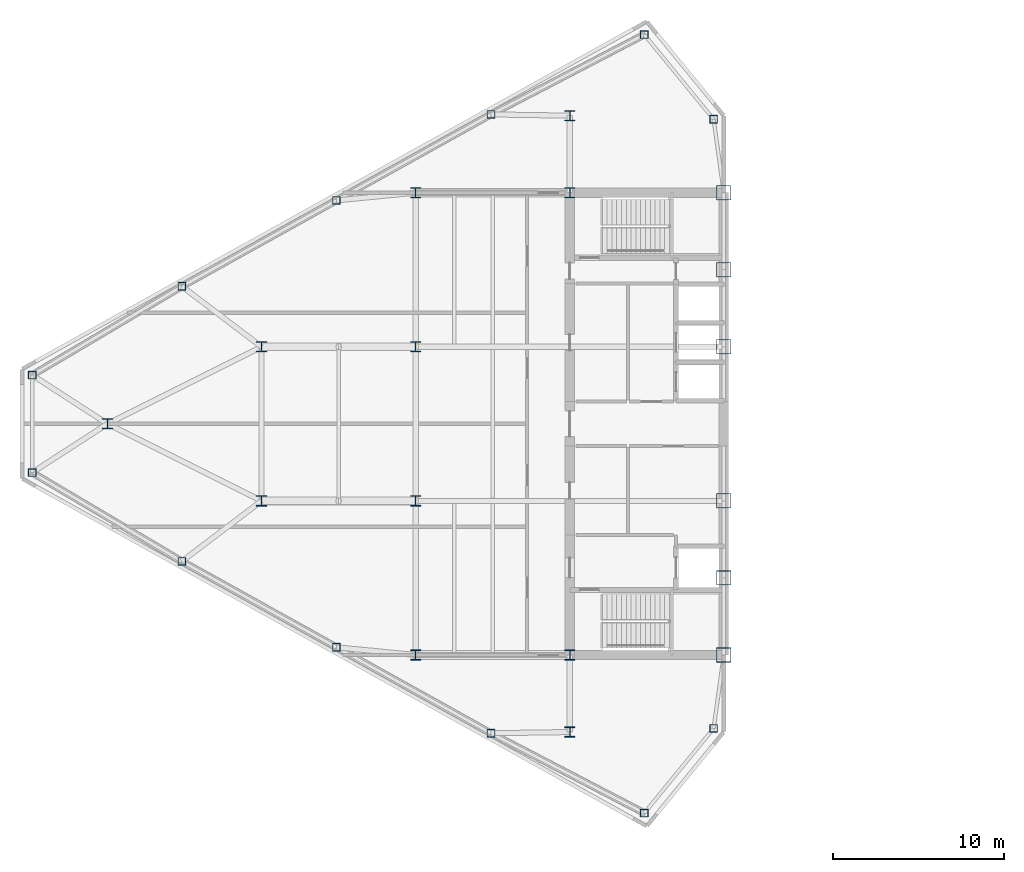
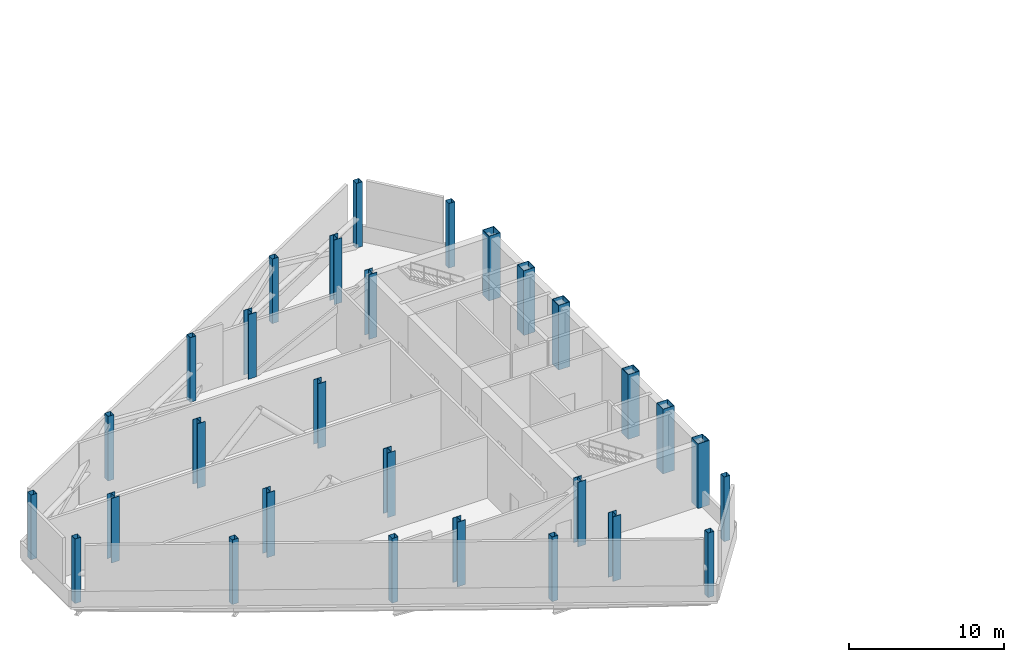
# One storey, part 1 of 11: 29 columns.
"""IFC4 building model written with IfcOpenShell, lengths in metres."""

from ifc_helpers import new_model, si_unit, direction, frame, origin, origin_2d, place, context, subcontext, project, spatial, hollow_rectangle, i_section, extrude, source, transform, mapped, material, material_profile, profile_set, type_object, type_shapes, element, save


model = new_model("IFC4")

# Units and contexts
model_context = context("Model", 3, precision=1e-05, world=origin(), true_north=direction((0.0, 1.0)))
body_context = subcontext(model_context, "Body", "Model", "MODEL_VIEW")
ifc_project = project(units=[si_unit("LENGTHUNIT", "METRE"), si_unit("AREAUNIT", "SQUARE_METRE"), si_unit("VOLUMEUNIT", "CUBIC_METRE"), si_unit("PLANEANGLEUNIT", "RADIAN"), si_unit("MASSUNIT", "GRAM", prefix="KILO")], contexts=[model_context])

# Site, building, storey
site_placement = place(None, origin())
site = spatial("IfcSite", under=ifc_project, at=site_placement, CompositionType="ELEMENT")
building_placement = place(site_placement, origin())
building = spatial("IfcBuilding", under=site, at=building_placement, Name="Seokmaru Belvedere", CompositionType="ELEMENT")
storey_placement = place(building_placement, frame((0.0, 0.0, 162.0)))
storey = spatial("IfcBuildingStorey", under=building, at=storey_placement, Name="L43", CompositionType="ELEMENT", Elevation=162.0)

# Columns
ifc_material_1 = material(Name="Steel HSA650 (650 MPa)", Category="steel")
ifc_material_profile_1 = material_profile(ifc_material_1, hollow_rectangle(XDim=0.85009765625, YDim=0.85009765625, WallThickness=0.035888671875, at=origin_2d()), Name="BOX-850x850x36")
ifc_profile_set_1 = profile_set([ifc_material_profile_1], Name="Steel HSA650 (650 MPa)")
column_type_1 = type_object("IfcColumnType", Name="Portal Spine Column BOX-850", PredefinedType="COLUMN", material=ifc_profile_set_1)
shared_shape_1 = source(origin(), body_context, "Body", "SweptSolid", [
    extrude(hollow_rectangle(XDim=0.85009765625, YDim=0.85009765625, WallThickness=0.035888671875, at=origin_2d()), origin(), (0.0, 0.0, 1.0), 5.10009765625),
])
type_shapes(column_type_1, [shared_shape_1])
for number, where, z_axis, x_axis, name in (
    (1, (-27.5, -13.5, 0.0), (0.0, 0.0, 1.0), (1.0, 0.0, 0.0), "L43 Column WS1"),
    (2, (-27.5, -9.0, 0.0), (0.0, 0.0, 1.0), (1.0, 0.0, 0.0), "L43 Column WS2"),
    (3, (-27.5, -4.5, 0.0), (0.0, 0.0, 1.0), (1.0, 0.0, 0.0), "L43 Column WS3"),
    (4, (-27.5, 4.5, 0.0), (0.0, 0.0, 1.0), (1.0, 0.0, 0.0), "L43 Column WS4"),
    (5, (-27.5, 9.0, 0.0), (0.0, 0.0, 1.0), (1.0, 0.0, 0.0), "L43 Column WS5"),
    (6, (-27.5, 13.5, 0.0), (0.0, 0.0, 1.0), (1.0, 0.0, 0.0), "L43 Column WS6"),
):
    element("IfcColumn", number, at=place(storey_placement, frame(where, z_axis=z_axis, x_axis=x_axis)), inside=storey, type_object=column_type_1, Name=name, PredefinedType="COLUMN", context=body_context, shape_type="MappedRepresentation", body=[
        mapped(shared_shape_1, transform((0.0, 0.0, 0.0), scale=1.0)),
    ])
ifc_material_2 = material(Name="Steel SM355 (355 MPa)", Category="steel")
ifc_material_profile_2 = material_profile(ifc_material_2, i_section(OverallWidth=0.60009765625, OverallDepth=0.60009765625, WebThickness=0.02490234375, FlangeThickness=0.0400390625, at=origin_2d()), Name="H-600x600x25x40")
ifc_profile_set_2 = profile_set([ifc_material_profile_2], Name="Steel SM355 (355 MPa)")
column_type_2 = type_object("IfcColumnType", Name="Upper-Mid Interior Column H-600", PredefinedType="COLUMN", material=ifc_profile_set_2)
shared_shape_2 = source(origin(), body_context, "Body", "SweptSolid", [
    extrude(i_section(OverallWidth=0.60009765625, OverallDepth=0.60009765625, WebThickness=0.02490234375, FlangeThickness=0.0400390625, at=origin_2d()), origin(), (0.0, 0.0, 1.0), 5.10009765625),
])
type_shapes(column_type_2, [shared_shape_2])
for number, where, z_axis, x_axis, name in (
    (7, (-36.5, -18.0, 0.0), (0.0, 0.0, 1.0), (1.0, 0.0, 0.0), "L43 Column WC1"),
    (8, (-36.5, -13.5, 0.0), (0.0, 0.0, 1.0), (1.0, 0.0, 0.0), "L43 Column WC2"),
    (9, (-36.5, 13.5, 0.0), (0.0, 0.0, 1.0), (1.0, 0.0, 0.0), "L43 Column WC3"),
    (10, (-36.5, 18.0, 0.0), (0.0, 0.0, 1.0), (1.0, 0.0, 0.0), "L43 Column WC4"),
    (11, (-45.5, -13.5, 0.0), (0.0, 0.0, 1.0), (1.0, 0.0, 0.0), "L43 Column WG5_1"),
    (12, (-45.5, -4.5, 0.0), (0.0, 0.0, 1.0), (1.0, 0.0, 0.0), "L43 Column WG5_2"),
    (13, (-45.5, 4.5, 0.0), (0.0, 0.0, 1.0), (1.0, 0.0, 0.0), "L43 Column WG5_3"),
    (14, (-45.5, 13.5, 0.0), (0.0, 0.0, 1.0), (1.0, 0.0, 0.0), "L43 Column WG5_4"),
    (15, (-54.5, -4.5, 0.0), (0.0, 0.0, 1.0), (1.0, 0.0, 0.0), "L43 Column WG4P_1"),
    (16, (-54.5, 4.5, 0.0), (0.0, 0.0, 1.0), (1.0, 0.0, 0.0), "L43 Column WG4P_2"),
    (17, (-63.5, 0.0, 0.0), (0.0, 0.0, 1.0), (1.0, 0.0, 0.0), "L43 Column WG3P_1"),
):
    element("IfcColumn", number, at=place(storey_placement, frame(where, z_axis=z_axis, x_axis=x_axis)), inside=storey, type_object=column_type_2, Name=name, PredefinedType="COLUMN", context=body_context, shape_type="MappedRepresentation", body=[
        mapped(shared_shape_2, transform((0.0, 0.0, 0.0), scale=1.0)),
    ])
ifc_material_profile_3 = material_profile(ifc_material_2, hollow_rectangle(XDim=0.449951171875, YDim=0.449951171875, WallThickness=0.01806640625, at=origin_2d()), Name="HSS-450x450x18")
ifc_profile_set_3 = profile_set([ifc_material_profile_3], Name="Steel SM355 (355 MPa)")
column_type_3 = type_object("IfcColumnType", Name="Perimeter Facet Column HSS-450", PredefinedType="COLUMN", material=ifc_profile_set_3)
shared_shape_3 = source(origin(), body_context, "Body", "SweptSolid", [
    extrude(hollow_rectangle(XDim=0.449951171875, YDim=0.449951171875, WallThickness=0.01806640625, at=origin_2d()), origin(), (0.0, 0.0, 1.0), 5.10009765625),
])
type_shapes(column_type_3, [shared_shape_3])
for number, where, z_axis, x_axis, name in (
    (18, (-28.10009765625, -17.785888671875, 0.0), (0.0, 0.0, 1.0), (1.0, 0.0, 0.0), "L43 Column WF1"),
    (19, (-28.10009765625, 17.785888671875, 0.0), (0.0, 0.0, 1.0), (1.0, 0.0, 0.0), "L43 Column WF2"),
    (20, (-32.146728515625, 22.731689453125, 0.0), (0.0, 0.0, 1.0), (1.0, 0.0, 0.0), "L43 Column WF3"),
    (21, (-67.89990234375, 2.84716796875, 0.0), (0.0, 0.0, 1.0), (1.0, 0.0, 0.0), "L43 Column WF4"),
    (22, (-67.89990234375, -2.84716796875, 0.0), (0.0, 0.0, 1.0), (1.0, 0.0, 0.0), "L43 Column WF5"),
    (23, (-32.146728515625, -22.731689453125, 0.0), (0.0, 0.0, 1.0), (1.0, 0.0, 0.0), "L43 Column WF6"),
    (24, (-41.103759765625, -18.07080078125, 0.0), (0.0, 0.0, 1.0), (1.0, 0.0, 0.0), "L43 Column WFLK_S1"),
    (25, (-50.129150390625, -13.051025390625, 0.0), (0.0, 0.0, 1.0), (1.0, 0.0, 0.0), "L43 Column WFLK_S2"),
    (26, (-59.154541015625, -8.031494140625, 0.0), (0.0, 0.0, 1.0), (1.0, 0.0, 0.0), "L43 Column WFLK_S3"),
    (27, (-41.103759765625, 18.07080078125, 0.0), (0.0, 0.0, 1.0), (1.0, 0.0, 0.0), "L43 Column WFLK_N1"),
    (28, (-50.129150390625, 13.051025390625, 0.0), (0.0, 0.0, 1.0), (1.0, 0.0, 0.0), "L43 Column WFLK_N2"),
    (29, (-59.154541015625, 8.031494140625, 0.0), (0.0, 0.0, 1.0), (1.0, 0.0, 0.0), "L43 Column WFLK_N3"),
):
    element("IfcColumn", number, at=place(storey_placement, frame(where, z_axis=z_axis, x_axis=x_axis)), inside=storey, type_object=column_type_3, Name=name, PredefinedType="COLUMN", context=body_context, shape_type="MappedRepresentation", body=[
        mapped(shared_shape_3, transform((0.0, 0.0, 0.0), scale=1.0)),
    ])

save(model, "model.ifc")
